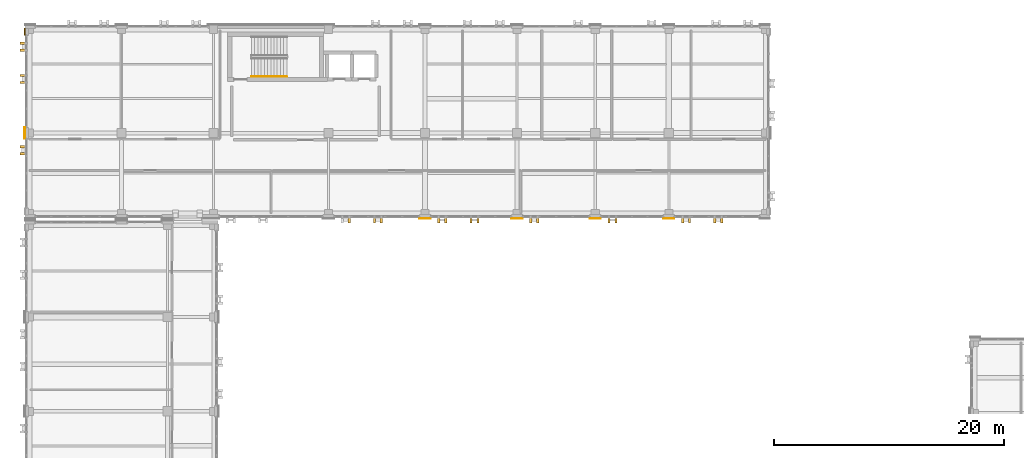
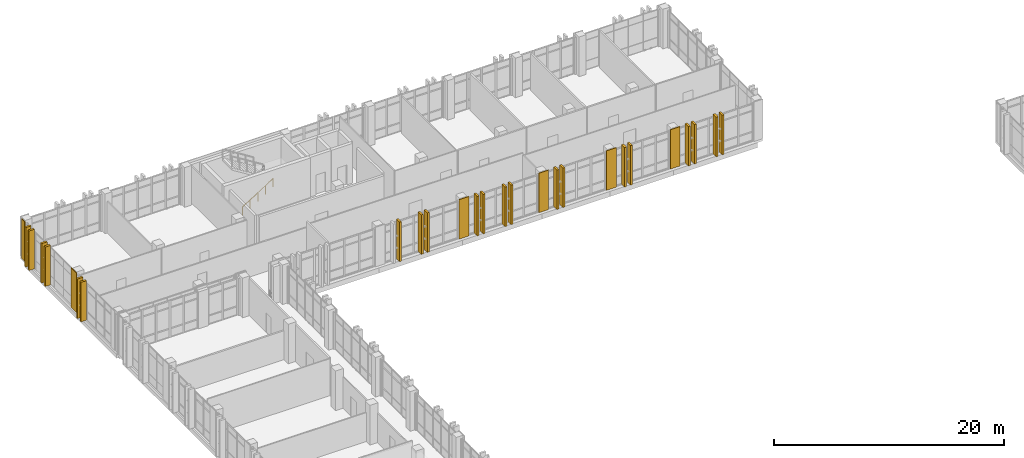
# One storey, part 156 of 165: 27 coverings, 1 railing.
"""IFC4 building model written with IfcOpenShell, lengths in metres."""

from ifc_helpers import new_model, si_unit, direction, frame, origin, origin_2d, place, context, subcontext, project, spatial, rectangle, circle, extrude, material, layer, layer_set, type_object, element, save


model = new_model("IFC4")

# Units and contexts
model_context = context("Model", 3, precision=1e-05, world=origin(), true_north=direction((0.0, 1.0)))
body_context = subcontext(model_context, "Body", "Model", "MODEL_VIEW")
ifc_project = project(units=[si_unit("LENGTHUNIT", "METRE"), si_unit("AREAUNIT", "SQUARE_METRE"), si_unit("VOLUMEUNIT", "CUBIC_METRE"), si_unit("PLANEANGLEUNIT", "RADIAN"), si_unit("MASSUNIT", "GRAM", prefix="KILO")], contexts=[model_context])

# Site, building, storey
site_placement = place(None, origin())
site = spatial("IfcSite", under=ifc_project, at=site_placement, CompositionType="ELEMENT")
building_placement = place(site_placement, origin())
building = spatial("IfcBuilding", under=site, at=building_placement, Name="Qalavern Law Courts", CompositionType="ELEMENT")
storey_placement = place(building_placement, frame((0.0, 0.0, 14.39990234375)))
storey = spatial("IfcBuildingStorey", under=building, at=storey_placement, Name="L03", CompositionType="ELEMENT", Elevation=14.39990234375)

# Coverings
ifc_material_1 = material(Name="Precast concrete C40/50", Category="concrete")
ifc_layer_1 = layer(ifc_material_1, 0.199951171875)
ifc_layer_set_1 = layer_set([ifc_layer_1], Name="Precast concrete C40/50")
covering_type_1 = type_object("IfcCoveringType", Name="ENV-BLD-1", PredefinedType="CLADDING", material=ifc_layer_set_1)
for number, where, z_axis, x_axis, name in (
    (1, (30.199951171875, 96.03759765625, 0.005126953125), (0.0, 0.0, 1.0), (0.0, -1.0, 0.0), "Absheron stone facade blade 1014"),
    (2, (32.39990234375, 96.03759765625, 0.005126953125), (0.0, 0.0, 1.0), (0.0, -1.0, 0.0), "Absheron stone facade blade 1015"),
    (3, (33.0, 96.03759765625, 0.005126953125), (0.0, 0.0, 1.0), (0.0, -1.0, 0.0), "Absheron stone facade blade 1016"),
    (4, (38.0, 96.03759765625, 0.005126953125), (0.0, 0.0, 1.0), (0.0, -1.0, 0.0), "Absheron stone facade blade 1017"),
    (5, (38.60009765625, 96.03759765625, 0.005126953125), (0.0, 0.0, 1.0), (0.0, -1.0, 0.0), "Absheron stone facade blade 1018"),
    (6, (40.800048828125, 96.03759765625, 0.005126953125), (0.0, 0.0, 1.0), (0.0, -1.0, 0.0), "Absheron stone facade blade 1019"),
    (7, (41.39990234375, 96.03759765625, 0.005126953125), (0.0, 0.0, 1.0), (0.0, -1.0, 0.0), "Absheron stone facade blade 1020"),
    (8, (46.0, 96.03759765625, 0.005126953125), (0.0, 0.0, 1.0), (0.0, -1.0, 0.0), "Absheron stone facade blade 1021"),
    (9, (46.60009765625, 96.03759765625, 0.005126953125), (0.0, 0.0, 1.0), (0.0, -1.0, 0.0), "Absheron stone facade blade 1022"),
    (10, (52.800048828125, 96.03759765625, 0.005126953125), (0.0, 0.0, 1.0), (0.0, -1.0, 0.0), "Absheron stone facade blade 1023"),
    (11, (53.39990234375, 96.03759765625, 0.005126953125), (0.0, 0.0, 1.0), (0.0, -1.0, 0.0), "Absheron stone facade blade 1024"),
    (12, (59.199951171875, 96.03759765625, 0.005126953125), (0.0, 0.0, 1.0), (0.0, -1.0, 0.0), "Absheron stone facade blade 1025"),
    (13, (59.800048828125, 96.03759765625, 0.005126953125), (0.0, 0.0, 1.0), (0.0, -1.0, 0.0), "Absheron stone facade blade 1026"),
    (14, (62.0, 96.03759765625, 0.005126953125), (0.0, 0.0, 1.0), (0.0, -1.0, 0.0), "Absheron stone facade blade 1027"),
    (15, (62.60009765625, 96.03759765625, 0.005126953125), (0.0, 0.0, 1.0), (0.0, -1.0, 0.0), "Absheron stone facade blade 1028"),
    (16, (1.83740234375, 111.39990234375, 0.005126953125), (0.0, 0.0, 1.0), (-1.0, 0.0, 0.0), "Absheron stone facade blade 1059"),
    (17, (1.83740234375, 110.800048828125, 0.005126953125), (0.0, 0.0, 1.0), (-1.0, 0.0, 0.0), "Absheron stone facade blade 1060"),
    (18, (1.83740234375, 108.60009765625, 0.005126953125), (0.0, 0.0, 1.0), (-1.0, 0.0, 0.0), "Absheron stone facade blade 1061"),
    (19, (1.83740234375, 108.0, 0.005126953125), (0.0, 0.0, 1.0), (-1.0, 0.0, 0.0), "Absheron stone facade blade 1062"),
    (20, (1.83740234375, 102.39990234375, 0.005126953125), (0.0, 0.0, 1.0), (-1.0, 0.0, 0.0), "Absheron stone facade blade 1063"),
    (21, (1.83740234375, 101.800048828125, 0.005126953125), (0.0, 0.0, 1.0), (-1.0, 0.0, 0.0), "Absheron stone facade blade 1064"),
):
    element("IfcCovering", number, at=place(storey_placement, frame(where, z_axis=z_axis, x_axis=x_axis)), inside=storey, type_object=covering_type_1, Name=name, PredefinedType="CLADDING", context=body_context, shape_type="SweptSolid", body=[
        extrude(rectangle(XDim=0.5400390625, YDim=0.199951171875, at=origin_2d()), origin(), (0.0, 0.0, 1.0), 4.18994140625),
    ])
ifc_layer_2 = layer(ifc_material_1, 0.072021484375)
ifc_layer_set_2 = layer_set([ifc_layer_2], Name="Precast concrete C40/50")
covering_type_2 = type_object("IfcCoveringType", Name="ENV-CLD-2", PredefinedType="CLADDING", material=ifc_layer_set_2)
for number, where, z_axis, x_axis, name in (
    (22, (36.800048828125, 96.1669921875, 0.01025390625), (0.0, 0.0, 1.0), (1.0, 0.0, 0.0), "V5 Absheron limestone pier facing L03 south 3"),
    (23, (44.800048828125, 96.1669921875, 0.01025390625), (0.0, 0.0, 1.0), (1.0, 0.0, 0.0), "V5 Absheron limestone pier facing L03 south 4"),
    (24, (51.60009765625, 96.1669921875, 0.01025390625), (0.0, 0.0, 1.0), (1.0, 0.0, 0.0), "V5 Absheron limestone pier facing L03 south 5"),
    (25, (58.0, 96.1669921875, 0.01025390625), (0.0, 0.0, 1.0), (1.0, 0.0, 0.0), "V5 Absheron limestone pier facing L03 south 6"),
):
    element("IfcCovering", number, at=place(storey_placement, frame(where, z_axis=z_axis, x_axis=x_axis)), inside=storey, type_object=covering_type_2, Name=name, PredefinedType="CLADDING", context=body_context, shape_type="SweptSolid", body=[
        extrude(rectangle(XDim=0.97998046875, YDim=0.072021484375, at=origin_2d()), origin(), (0.0, 0.0, 1.0), 4.179931640625),
    ])
covering_1_placement = place(storey_placement, frame((1.967041015625, 112.405029296875, 0.01025390625), z_axis=(0.0, 0.0, 1.0), x_axis=(0.0, -1.0, 0.0)))
element("IfcCovering", 26, at=covering_1_placement, inside=storey, type_object=covering_type_2, Name="V5 Absheron limestone pier facing L03 west 1", PredefinedType="CLADDING", context=body_context, shape_type="SweptSolid", body=[
    extrude(rectangle(XDim=0.590087890625, YDim=0.072021484375, at=origin_2d()), origin(), (0.0, 0.0, 1.0), 4.179931640625),
])
covering_2_placement = place(storey_placement, frame((1.967041015625, 103.60009765625, 0.01025390625), z_axis=(0.0, 0.0, 1.0), x_axis=(0.0, -1.0, 0.0)))
element("IfcCovering", 27, at=covering_2_placement, inside=storey, type_object=covering_type_2, Name="V5 Absheron limestone pier facing L03 west 2", PredefinedType="CLADDING", context=body_context, shape_type="SweptSolid", body=[
    extrude(rectangle(XDim=0.97998046875, YDim=0.072021484375, at=origin_2d()), origin(), (0.0, 0.0, 1.0), 4.179931640625),
])

# Railing
ifc_material_2 = material(Name="Steel S355", Category="steel")
railing_type = type_object("IfcRailingType", Name="INT-HRAIL-920", PredefinedType="HANDRAIL", material=ifc_material_2)
railing_placement = place(storey_placement, frame((21.699951171875, 108.5, 0.175048828125)))
element("IfcRailing", 28, at=railing_placement, inside=storey, type_object=railing_type, Name="L03 ST-K3 stair handrail 1", PredefinedType="HANDRAIL", context=body_context, shape_type="SweptSolid", body=[
    extrude(circle(Radius=0.02392578125, at=origin_2d()), frame((0.0, 0.0, 0.8759765625), z_axis=(0.847998304005, 0.0, 0.529998940003), x_axis=(0.0, 1.0, 0.0)), (0.0, 0.0, 1.0), 3.632080078125),
    extrude(circle(Radius=0.02099609375, at=origin_2d()), origin(), (0.0, 0.0, 1.0), 0.851806640625),
    extrude(circle(Radius=0.02099609375, at=origin_2d()), frame((0.77001953125, 0.0, 0.481201171875)), (0.0, 0.0, 1.0), 0.851806640625),
    extrude(circle(Radius=0.02099609375, at=origin_2d()), frame((1.5400390625, 0.0, 0.96240234375)), (0.0, 0.0, 1.0), 0.851806640625),
    extrude(circle(Radius=0.02099609375, at=origin_2d()), frame((2.31005859375, 0.0, 1.44384765625)), (0.0, 0.0, 1.0), 0.851806640625),
    extrude(circle(Radius=0.02099609375, at=origin_2d()), frame((3.080078125, 0.0, 1.925048828125)), (0.0, 0.0, 1.0), 0.851806640625),
])

save(model, "model.ifc")
